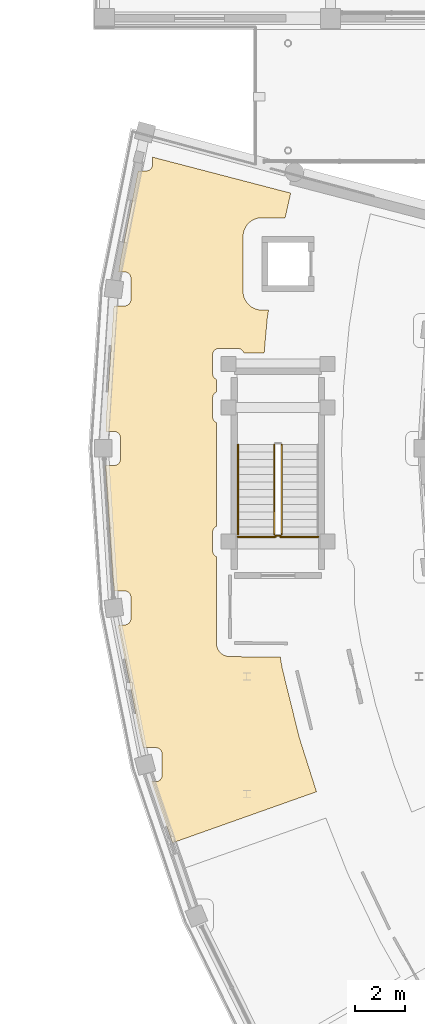
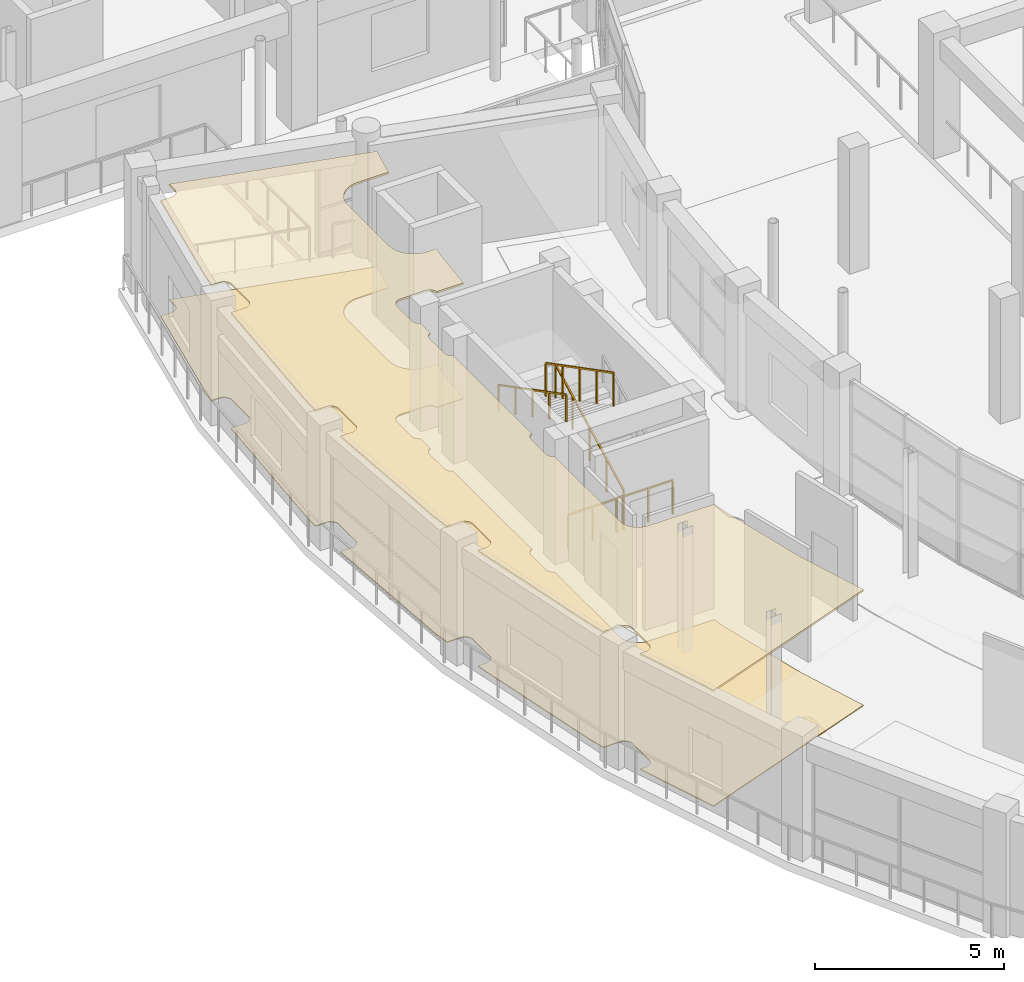
# One storey, part 75 of 87: 6 railings, 2 coverings.
"""IFC4 building model written with IfcOpenShell, lengths in metres."""

from ifc_helpers import new_model, si_unit, direction, frame, origin, origin_2d, place, context, subcontext, project, spatial, polyline, rectangle, outline, extrude, material, layer, layer_set, type_object, element, save


model = new_model("IFC4")

# Units and contexts
model_context = context("Model", 3, precision=1e-05, world=origin(), true_north=direction((0.0, 1.0)))
body_context = subcontext(model_context, "Body", "Model", "MODEL_VIEW")
ifc_project = project(units=[si_unit("LENGTHUNIT", "METRE"), si_unit("AREAUNIT", "SQUARE_METRE"), si_unit("VOLUMEUNIT", "CUBIC_METRE"), si_unit("PLANEANGLEUNIT", "RADIAN"), si_unit("MASSUNIT", "GRAM", prefix="KILO")], contexts=[model_context])

# Site, building, storey
site_placement = place(None, origin())
site = spatial("IfcSite", under=ifc_project, at=site_placement, CompositionType="ELEMENT")
building_placement = place(site_placement, origin())
building = spatial("IfcBuilding", under=site, at=building_placement, Name="Saryqyr Civic Hall", CompositionType="ELEMENT")
storey_placement = place(building_placement, frame((0.0, 0.0, 5.10009765625)))
storey = spatial("IfcBuildingStorey", under=building, at=storey_placement, Name="L01", CompositionType="ELEMENT", Elevation=5.10009765625)

# Coverings
ifc_material_1 = material(Name="Mineral-fibre acoustic ceiling tile", Category="acoustic_tile")
ifc_layer_1 = layer(ifc_material_1, 0.06005859375, Name="Mineral-fibre acoustic ceiling tile")
ifc_layer_set_1 = layer_set([ifc_layer_1], Name="Mineral-fibre acoustic ceiling tile")
covering_type_1 = type_object("IfcCoveringType", Name="INT-COV-CEIL-60", PredefinedType="CEILING", material=ifc_layer_set_1)
covering_1_placement = place(storey_placement, frame((0.0, 0.0, 3.7099609375)))
element("IfcCovering", 1, at=covering_1_placement, inside=storey, type_object=covering_type_1, Name="Acoustic ceiling Civil Registry Ceremonial Hall", PredefinedType="CEILING", context=body_context, shape_type="SweptSolid", body=[
    extrude(outline(polyline([(12.53271484375, 76.146484375), (12.54052734375, 76.09326171875), (12.553466796875, 76.041259765625), (12.5712890625, 75.990478515625), (12.59423828125, 75.94189453125), (12.621826171875, 75.895751953125), (12.653564453125, 75.8525390625), (12.689453125, 75.812744140625), (12.72900390625, 75.7763671875), (12.772216796875, 75.744140625), (12.818115234375, 75.71630859375), (12.866455078125, 75.693115234375), (12.9169921875, 75.6748046875), (12.968994140625, 75.661376953125), (13.02197265625, 75.653076171875), (13.075439453125, 75.64990234375), (15.090087890625, 75.6337890625), (15.172607421875, 75.168212890625), (15.18017578125, 75.132568359375), (15.848388671875, 72.4208984375), (15.858154296875, 72.385986328125), (16.54296875, 70.231689453125), (10.767333984375, 68.1826171875), (9.935546875, 70.637939453125), (10.099609375, 70.637939453125), (10.1240234375, 70.63916015625), (10.1484375, 70.642578125), (10.172119140625, 70.648681640625), (10.1953125, 70.656982421875), (10.21728515625, 70.66748046875), (10.238525390625, 70.679931640625), (10.25830078125, 70.694580078125), (10.2763671875, 70.711181640625), (10.29296875, 70.729248046875), (10.3076171875, 70.7490234375), (10.320068359375, 70.77001953125), (10.33056640625, 70.792236328125), (10.3388671875, 70.815185546875), (10.3447265625, 70.839111328125), (10.348388671875, 70.86328125), (10.349609375, 70.887939453125), (10.349609375, 71.747802734375), (10.348388671875, 71.7724609375), (10.3447265625, 71.796630859375), (10.3388671875, 71.820556640625), (10.33056640625, 71.843505859375), (10.320068359375, 71.86572265625), (10.3076171875, 71.88671875), (10.29296875, 71.906494140625), (10.2763671875, 71.9248046875), (10.25830078125, 71.941162109375), (10.238525390625, 71.955810546875), (10.21728515625, 71.968505859375), (10.1953125, 71.97900390625), (10.172119140625, 71.987060546875), (10.1484375, 71.9931640625), (10.1240234375, 71.99658203125), (10.099609375, 71.997802734375), (9.591796875, 71.997802734375), (9.45947265625, 72.534912109375), (8.614013671875, 76.784423828125), (8.597412109375, 76.92431640625), (8.84912109375, 76.92431640625), (8.873779296875, 76.92529296875), (8.89794921875, 76.928955078125), (8.921875, 76.93505859375), (8.94482421875, 76.943115234375), (8.967041015625, 76.95361328125), (8.988037109375, 76.96630859375), (9.0078125, 76.98095703125), (9.02587890625, 76.997314453125), (9.04248046875, 77.015625), (9.05712890625, 77.035400390625), (9.069580078125, 77.056396484375), (9.080078125, 77.07861328125), (9.08837890625, 77.1015625), (9.094482421875, 77.12548828125), (9.097900390625, 77.149658203125), (9.09912109375, 77.17431640625), (9.09912109375, 78.0341796875), (9.097900390625, 78.05859375), (9.094482421875, 78.0830078125), (9.08837890625, 78.106689453125), (9.080078125, 78.1298828125), (9.069580078125, 78.152099609375), (9.05712890625, 78.173095703125), (9.04248046875, 78.19287109375), (9.02587890625, 78.2109375), (9.0078125, 78.2275390625), (8.988037109375, 78.2421875), (8.967041015625, 78.254638671875), (8.94482421875, 78.26513671875), (8.921875, 78.2734375), (8.89794921875, 78.279296875), (8.873779296875, 78.282958984375), (8.84912109375, 78.2841796875), (8.43603515625, 78.2841796875), (8.368896484375, 78.847900390625), (8.0908203125, 83.093505859375), (8.0810546875, 83.320068359375), (8.429931640625, 83.320068359375), (8.45458984375, 83.3212890625), (8.478759765625, 83.32470703125), (8.502685546875, 83.330810546875), (8.525634765625, 83.339111328125), (8.5478515625, 83.349609375), (8.56884765625, 83.362060546875), (8.588623046875, 83.376708984375), (8.606689453125, 83.393310546875), (8.623291015625, 83.411376953125), (8.637939453125, 83.43115234375), (8.650390625, 83.4521484375), (8.660888671875, 83.474365234375), (8.669189453125, 83.497314453125), (8.67529296875, 83.521240234375), (8.6787109375, 83.54541015625), (8.679931640625, 83.570068359375), (8.679931640625, 84.429931640625), (8.6787109375, 84.45458984375), (8.67529296875, 84.478759765625), (8.669189453125, 84.502685546875), (8.660888671875, 84.525634765625), (8.650390625, 84.5478515625), (8.637939453125, 84.56884765625), (8.623291015625, 84.588623046875), (8.606689453125, 84.606689453125), (8.588623046875, 84.623291015625), (8.56884765625, 84.637939453125), (8.5478515625, 84.650390625), (8.525634765625, 84.660888671875), (8.502685546875, 84.669189453125), (8.478759765625, 84.67529296875), (8.45458984375, 84.6787109375), (8.429931640625, 84.679931640625), (8.099609375, 84.679931640625), (8.11279296875, 85.239990234375), (8.419189453125, 89.7158203125), (8.84912109375, 89.7158203125), (8.873779296875, 89.717041015625), (8.89794921875, 89.720703125), (8.921875, 89.7265625), (8.94482421875, 89.73486328125), (8.967041015625, 89.745361328125), (8.988037109375, 89.7578125), (9.0078125, 89.7724609375), (9.02587890625, 89.7890625), (9.04248046875, 89.80712890625), (9.05712890625, 89.826904296875), (9.069580078125, 89.847900390625), (9.080078125, 89.8701171875), (9.08837890625, 89.893310546875), (9.094482421875, 89.9169921875), (9.097900390625, 89.94140625), (9.09912109375, 89.9658203125), (9.09912109375, 90.82568359375), (9.097900390625, 90.850341796875), (9.094482421875, 90.87451171875), (9.08837890625, 90.8984375), (9.080078125, 90.92138671875), (9.069580078125, 90.943603515625), (9.05712890625, 90.964599609375), (9.04248046875, 90.984375), (9.02587890625, 91.002685546875), (9.0078125, 91.01904296875), (8.988037109375, 91.03369140625), (8.967041015625, 91.04638671875), (8.94482421875, 91.056884765625), (8.921875, 91.06494140625), (8.89794921875, 91.071044921875), (8.873779296875, 91.07470703125), (8.84912109375, 91.07568359375), (8.60888671875, 91.07568359375), (8.693603515625, 91.61474609375), (9.393310546875, 95.133056640625), (9.719482421875, 95.133056640625), (9.743896484375, 95.13427734375), (9.768310546875, 95.137939453125), (9.7919921875, 95.143798828125), (9.815185546875, 95.152099609375), (9.837158203125, 95.16259765625), (9.8583984375, 95.17529296875), (9.8779296875, 95.189697265625), (9.896240234375, 95.206298828125), (9.91259765625, 95.224609375), (9.92724609375, 95.244140625), (9.93994140625, 95.265380859375), (9.950439453125, 95.287353515625), (9.95849609375, 95.310546875), (9.964599609375, 95.334228515625), (9.96826171875, 95.358642578125), (9.969482421875, 95.383056640625), (9.969482421875, 95.68212890625), (15.509033203125, 94.2392578125), (15.2861328125, 93.25), (14.35009765625, 93.25), (14.330322265625, 93.24951171875), (14.296142578125, 93.247802734375), (14.257080078125, 93.243896484375), (14.222900390625, 93.239013671875), (14.1845703125, 93.231201171875), (14.151123046875, 93.222900390625), (14.113525390625, 93.21142578125), (14.081298828125, 93.199951171875), (14.044921875, 93.18505859375), (14.013916015625, 93.17041015625), (13.9794921875, 93.15185546875), (13.949951171875, 93.134033203125), (13.917236328125, 93.1123046875), (13.8896484375, 93.091796875), (13.859375, 93.06689453125), (13.833984375, 93.0439453125), (13.80615234375, 93.01611328125), (13.783203125, 92.99072265625), (13.75830078125, 92.960205078125), (13.73779296875, 92.9326171875), (13.7158203125, 92.900146484375), (13.6982421875, 92.87060546875), (13.6796875, 92.8359375), (13.6650390625, 92.804931640625), (13.64990234375, 92.768798828125), (13.638427734375, 92.736328125), (13.627197265625, 92.69873046875), (13.61865234375, 92.66552734375), (13.611083984375, 92.626953125), (13.60595703125, 92.593017578125), (13.602294921875, 92.553955078125), (13.6005859375, 92.51953125), (13.60009765625, 92.5), (13.60009765625, 90.300048828125), (13.6005859375, 90.280517578125), (13.602294921875, 90.24609375), (13.60595703125, 90.20703125), (13.611083984375, 90.173095703125), (13.61865234375, 90.134521484375), (13.627197265625, 90.101318359375), (13.638427734375, 90.063720703125), (13.64990234375, 90.03125), (13.6650390625, 89.9951171875), (13.6796875, 89.964111328125), (13.6982421875, 89.929443359375), (13.7158203125, 89.89990234375), (13.73779296875, 89.8671875), (13.75830078125, 89.839599609375), (13.783203125, 89.809326171875), (13.80615234375, 89.783935546875), (13.833984375, 89.756103515625), (13.859375, 89.733154296875), (13.8896484375, 89.708251953125), (13.917236328125, 89.687744140625), (13.949951171875, 89.666015625), (13.9794921875, 89.648193359375), (14.013916015625, 89.629638671875), (14.044921875, 89.614990234375), (14.081298828125, 89.60009765625), (14.113525390625, 89.58837890625), (14.151123046875, 89.5771484375), (14.1845703125, 89.568603515625), (14.222900390625, 89.56103515625), (14.257080078125, 89.555908203125), (14.296142578125, 89.55224609375), (14.330322265625, 89.550537109375), (14.35009765625, 89.550048828125), (14.621337890625, 89.550048828125), (14.572509765625, 89.239013671875), (14.568115234375, 89.202880859375), (14.444091796875, 87.820068359375), (13.63232421875, 87.820068359375), (13.629150390625, 87.83251953125), (13.62109375, 87.855712890625), (13.610595703125, 87.877685546875), (13.597900390625, 87.89892578125), (13.583251953125, 87.918701171875), (13.56689453125, 87.936767578125), (13.548583984375, 87.953369140625), (13.52880859375, 87.968017578125), (13.5078125, 87.98046875), (13.485595703125, 87.990966796875), (13.462646484375, 87.999267578125), (13.438720703125, 88.005126953125), (13.41455078125, 88.0087890625), (13.389892578125, 88.010009765625), (12.6298828125, 88.010009765625), (12.60546875, 88.0087890625), (12.581298828125, 88.005126953125), (12.557373046875, 87.999267578125), (12.5341796875, 87.990966796875), (12.51220703125, 87.98046875), (12.4912109375, 87.968017578125), (12.471435546875, 87.953369140625), (12.453125, 87.936767578125), (12.436767578125, 87.918701171875), (12.422119140625, 87.89892578125), (12.409423828125, 87.877685546875), (12.39892578125, 87.855712890625), (12.390869140625, 87.83251953125), (12.384765625, 87.808837890625), (12.381103515625, 87.784423828125), (12.3798828125, 87.760009765625), (12.3798828125, 87.0), (12.381103515625, 86.9755859375), (12.384765625, 86.951171875), (12.390869140625, 86.927490234375), (12.39892578125, 86.904296875), (12.409423828125, 86.882080078125), (12.422119140625, 86.861083984375), (12.436767578125, 86.84130859375), (12.453125, 86.8232421875), (12.471435546875, 86.806640625), (12.4912109375, 86.7919921875), (12.51220703125, 86.779541015625), (12.530029296875, 86.77099609375), (12.530029296875, 86.2587890625), (12.51220703125, 86.25048828125), (12.4912109375, 86.23779296875), (12.471435546875, 86.223388671875), (12.453125, 86.206787109375), (12.436767578125, 86.188720703125), (12.422119140625, 86.1689453125), (12.409423828125, 86.147705078125), (12.39892578125, 86.125732421875), (12.390869140625, 86.1025390625), (12.384765625, 86.078857421875), (12.381103515625, 86.054443359375), (12.3798828125, 86.030029296875), (12.3798828125, 85.27001953125), (12.381103515625, 85.24560546875), (12.384765625, 85.22119140625), (12.390869140625, 85.197509765625), (12.39892578125, 85.17431640625), (12.409423828125, 85.152099609375), (12.422119140625, 85.131103515625), (12.436767578125, 85.111328125), (12.453125, 85.09326171875), (12.471435546875, 85.07666015625), (12.4912109375, 85.06201171875), (12.51220703125, 85.049560546875), (12.530029296875, 85.041015625), (12.530029296875, 80.873779296875), (12.51220703125, 80.865478515625), (12.4912109375, 80.852783203125), (12.471435546875, 80.83837890625), (12.453125, 80.82177734375), (12.436767578125, 80.8037109375), (12.422119140625, 80.783935546875), (12.409423828125, 80.7626953125), (12.39892578125, 80.74072265625), (12.390869140625, 80.717529296875), (12.384765625, 80.69384765625), (12.381103515625, 80.66943359375), (12.3798828125, 80.64501953125), (12.3798828125, 79.885009765625), (12.381103515625, 79.860595703125), (12.384765625, 79.836181640625), (12.390869140625, 79.8125), (12.39892578125, 79.789306640625), (12.409423828125, 79.76708984375), (12.422119140625, 79.74609375), (12.436767578125, 79.726318359375), (12.453125, 79.708251953125), (12.471435546875, 79.691650390625), (12.4912109375, 79.677001953125), (12.51220703125, 79.66455078125), (12.530029296875, 79.656005859375), (12.530029296875, 79.0), (12.530029296875, 78.99609375), (12.530029296875, 76.199951171875), (12.53271484375, 76.146484375)])), origin(), (0.0, 0.0, 1.0), 0.06005859375),
])
ifc_material_2 = material(Name="Polished terrazzo tile", Category="stone")
ifc_layer_2 = layer(ifc_material_2, 0.030029296875, Name="Polished terrazzo tile")
ifc_layer_set_2 = layer_set([ifc_layer_2], Name="Polished terrazzo tile")
covering_type_2 = type_object("IfcCoveringType", Name="INT-COV-FLR-30", PredefinedType="FLOORING", material=ifc_layer_set_2)
covering_2_placement = place(storey_placement, origin())
element("IfcCovering", 2, at=covering_2_placement, inside=storey, type_object=covering_type_2, Name="Polished terrazzo flooring Civil Registry Ceremonial Hall", PredefinedType="FLOORING", context=body_context, shape_type="SweptSolid", body=[
    extrude(outline(polyline([(12.53271484375, 76.146484375), (12.54052734375, 76.09326171875), (12.553466796875, 76.041259765625), (12.5712890625, 75.990478515625), (12.59423828125, 75.94189453125), (12.621826171875, 75.895751953125), (12.653564453125, 75.8525390625), (12.689453125, 75.812744140625), (12.72900390625, 75.7763671875), (12.772216796875, 75.744140625), (12.818115234375, 75.71630859375), (12.866455078125, 75.693115234375), (12.9169921875, 75.6748046875), (12.968994140625, 75.661376953125), (13.02197265625, 75.653076171875), (13.075439453125, 75.64990234375), (15.090087890625, 75.6337890625), (15.172607421875, 75.168212890625), (15.18017578125, 75.132568359375), (15.848388671875, 72.4208984375), (15.858154296875, 72.385986328125), (16.54296875, 70.231689453125), (10.767333984375, 68.1826171875), (9.935546875, 70.637939453125), (10.099609375, 70.637939453125), (10.1240234375, 70.63916015625), (10.1484375, 70.642578125), (10.172119140625, 70.648681640625), (10.1953125, 70.656982421875), (10.21728515625, 70.66748046875), (10.238525390625, 70.679931640625), (10.25830078125, 70.694580078125), (10.2763671875, 70.711181640625), (10.29296875, 70.729248046875), (10.3076171875, 70.7490234375), (10.320068359375, 70.77001953125), (10.33056640625, 70.792236328125), (10.3388671875, 70.815185546875), (10.3447265625, 70.839111328125), (10.348388671875, 70.86328125), (10.349609375, 70.887939453125), (10.349609375, 71.747802734375), (10.348388671875, 71.7724609375), (10.3447265625, 71.796630859375), (10.3388671875, 71.820556640625), (10.33056640625, 71.843505859375), (10.320068359375, 71.86572265625), (10.3076171875, 71.88671875), (10.29296875, 71.906494140625), (10.2763671875, 71.9248046875), (10.25830078125, 71.941162109375), (10.238525390625, 71.955810546875), (10.21728515625, 71.968505859375), (10.1953125, 71.97900390625), (10.172119140625, 71.987060546875), (10.1484375, 71.9931640625), (10.1240234375, 71.99658203125), (10.099609375, 71.997802734375), (9.591796875, 71.997802734375), (9.45947265625, 72.534912109375), (8.614013671875, 76.784423828125), (8.597412109375, 76.92431640625), (8.84912109375, 76.92431640625), (8.873779296875, 76.92529296875), (8.89794921875, 76.928955078125), (8.921875, 76.93505859375), (8.94482421875, 76.943115234375), (8.967041015625, 76.95361328125), (8.988037109375, 76.96630859375), (9.0078125, 76.98095703125), (9.02587890625, 76.997314453125), (9.04248046875, 77.015625), (9.05712890625, 77.035400390625), (9.069580078125, 77.056396484375), (9.080078125, 77.07861328125), (9.08837890625, 77.1015625), (9.094482421875, 77.12548828125), (9.097900390625, 77.149658203125), (9.09912109375, 77.17431640625), (9.09912109375, 78.0341796875), (9.097900390625, 78.05859375), (9.094482421875, 78.0830078125), (9.08837890625, 78.106689453125), (9.080078125, 78.1298828125), (9.069580078125, 78.152099609375), (9.05712890625, 78.173095703125), (9.04248046875, 78.19287109375), (9.02587890625, 78.2109375), (9.0078125, 78.2275390625), (8.988037109375, 78.2421875), (8.967041015625, 78.254638671875), (8.94482421875, 78.26513671875), (8.921875, 78.2734375), (8.89794921875, 78.279296875), (8.873779296875, 78.282958984375), (8.84912109375, 78.2841796875), (8.43603515625, 78.2841796875), (8.368896484375, 78.847900390625), (8.0908203125, 83.093505859375), (8.0810546875, 83.320068359375), (8.429931640625, 83.320068359375), (8.45458984375, 83.3212890625), (8.478759765625, 83.32470703125), (8.502685546875, 83.330810546875), (8.525634765625, 83.339111328125), (8.5478515625, 83.349609375), (8.56884765625, 83.362060546875), (8.588623046875, 83.376708984375), (8.606689453125, 83.393310546875), (8.623291015625, 83.411376953125), (8.637939453125, 83.43115234375), (8.650390625, 83.4521484375), (8.660888671875, 83.474365234375), (8.669189453125, 83.497314453125), (8.67529296875, 83.521240234375), (8.6787109375, 83.54541015625), (8.679931640625, 83.570068359375), (8.679931640625, 84.429931640625), (8.6787109375, 84.45458984375), (8.67529296875, 84.478759765625), (8.669189453125, 84.502685546875), (8.660888671875, 84.525634765625), (8.650390625, 84.5478515625), (8.637939453125, 84.56884765625), (8.623291015625, 84.588623046875), (8.606689453125, 84.606689453125), (8.588623046875, 84.623291015625), (8.56884765625, 84.637939453125), (8.5478515625, 84.650390625), (8.525634765625, 84.660888671875), (8.502685546875, 84.669189453125), (8.478759765625, 84.67529296875), (8.45458984375, 84.6787109375), (8.429931640625, 84.679931640625), (8.099609375, 84.679931640625), (8.11279296875, 85.239990234375), (8.419189453125, 89.7158203125), (8.84912109375, 89.7158203125), (8.873779296875, 89.717041015625), (8.89794921875, 89.720703125), (8.921875, 89.7265625), (8.94482421875, 89.73486328125), (8.967041015625, 89.745361328125), (8.988037109375, 89.7578125), (9.0078125, 89.7724609375), (9.02587890625, 89.7890625), (9.04248046875, 89.80712890625), (9.05712890625, 89.826904296875), (9.069580078125, 89.847900390625), (9.080078125, 89.8701171875), (9.08837890625, 89.893310546875), (9.094482421875, 89.9169921875), (9.097900390625, 89.94140625), (9.09912109375, 89.9658203125), (9.09912109375, 90.82568359375), (9.097900390625, 90.850341796875), (9.094482421875, 90.87451171875), (9.08837890625, 90.8984375), (9.080078125, 90.92138671875), (9.069580078125, 90.943603515625), (9.05712890625, 90.964599609375), (9.04248046875, 90.984375), (9.02587890625, 91.002685546875), (9.0078125, 91.01904296875), (8.988037109375, 91.03369140625), (8.967041015625, 91.04638671875), (8.94482421875, 91.056884765625), (8.921875, 91.06494140625), (8.89794921875, 91.071044921875), (8.873779296875, 91.07470703125), (8.84912109375, 91.07568359375), (8.60888671875, 91.07568359375), (8.693603515625, 91.61474609375), (9.393310546875, 95.133056640625), (9.719482421875, 95.133056640625), (9.743896484375, 95.13427734375), (9.768310546875, 95.137939453125), (9.7919921875, 95.143798828125), (9.815185546875, 95.152099609375), (9.837158203125, 95.16259765625), (9.8583984375, 95.17529296875), (9.8779296875, 95.189697265625), (9.896240234375, 95.206298828125), (9.91259765625, 95.224609375), (9.92724609375, 95.244140625), (9.93994140625, 95.265380859375), (9.950439453125, 95.287353515625), (9.95849609375, 95.310546875), (9.964599609375, 95.334228515625), (9.96826171875, 95.358642578125), (9.969482421875, 95.383056640625), (9.969482421875, 95.68212890625), (15.509033203125, 94.2392578125), (15.2861328125, 93.25), (14.35009765625, 93.25), (14.330322265625, 93.24951171875), (14.296142578125, 93.247802734375), (14.257080078125, 93.243896484375), (14.222900390625, 93.239013671875), (14.1845703125, 93.231201171875), (14.151123046875, 93.222900390625), (14.113525390625, 93.21142578125), (14.081298828125, 93.199951171875), (14.044921875, 93.18505859375), (14.013916015625, 93.17041015625), (13.9794921875, 93.15185546875), (13.949951171875, 93.134033203125), (13.917236328125, 93.1123046875), (13.8896484375, 93.091796875), (13.859375, 93.06689453125), (13.833984375, 93.0439453125), (13.80615234375, 93.01611328125), (13.783203125, 92.99072265625), (13.75830078125, 92.960205078125), (13.73779296875, 92.9326171875), (13.7158203125, 92.900146484375), (13.6982421875, 92.87060546875), (13.6796875, 92.8359375), (13.6650390625, 92.804931640625), (13.64990234375, 92.768798828125), (13.638427734375, 92.736328125), (13.627197265625, 92.69873046875), (13.61865234375, 92.66552734375), (13.611083984375, 92.626953125), (13.60595703125, 92.593017578125), (13.602294921875, 92.553955078125), (13.6005859375, 92.51953125), (13.60009765625, 92.5), (13.60009765625, 90.300048828125), (13.6005859375, 90.280517578125), (13.602294921875, 90.24609375), (13.60595703125, 90.20703125), (13.611083984375, 90.173095703125), (13.61865234375, 90.134521484375), (13.627197265625, 90.101318359375), (13.638427734375, 90.063720703125), (13.64990234375, 90.03125), (13.6650390625, 89.9951171875), (13.6796875, 89.964111328125), (13.6982421875, 89.929443359375), (13.7158203125, 89.89990234375), (13.73779296875, 89.8671875), (13.75830078125, 89.839599609375), (13.783203125, 89.809326171875), (13.80615234375, 89.783935546875), (13.833984375, 89.756103515625), (13.859375, 89.733154296875), (13.8896484375, 89.708251953125), (13.917236328125, 89.687744140625), (13.949951171875, 89.666015625), (13.9794921875, 89.648193359375), (14.013916015625, 89.629638671875), (14.044921875, 89.614990234375), (14.081298828125, 89.60009765625), (14.113525390625, 89.58837890625), (14.151123046875, 89.5771484375), (14.1845703125, 89.568603515625), (14.222900390625, 89.56103515625), (14.257080078125, 89.555908203125), (14.296142578125, 89.55224609375), (14.330322265625, 89.550537109375), (14.35009765625, 89.550048828125), (14.621337890625, 89.550048828125), (14.572509765625, 89.239013671875), (14.568115234375, 89.202880859375), (14.444091796875, 87.820068359375), (13.63232421875, 87.820068359375), (13.629150390625, 87.83251953125), (13.62109375, 87.855712890625), (13.610595703125, 87.877685546875), (13.597900390625, 87.89892578125), (13.583251953125, 87.918701171875), (13.56689453125, 87.936767578125), (13.548583984375, 87.953369140625), (13.52880859375, 87.968017578125), (13.5078125, 87.98046875), (13.485595703125, 87.990966796875), (13.462646484375, 87.999267578125), (13.438720703125, 88.005126953125), (13.41455078125, 88.0087890625), (13.389892578125, 88.010009765625), (12.6298828125, 88.010009765625), (12.60546875, 88.0087890625), (12.581298828125, 88.005126953125), (12.557373046875, 87.999267578125), (12.5341796875, 87.990966796875), (12.51220703125, 87.98046875), (12.4912109375, 87.968017578125), (12.471435546875, 87.953369140625), (12.453125, 87.936767578125), (12.436767578125, 87.918701171875), (12.422119140625, 87.89892578125), (12.409423828125, 87.877685546875), (12.39892578125, 87.855712890625), (12.390869140625, 87.83251953125), (12.384765625, 87.808837890625), (12.381103515625, 87.784423828125), (12.3798828125, 87.760009765625), (12.3798828125, 87.0), (12.381103515625, 86.9755859375), (12.384765625, 86.951171875), (12.390869140625, 86.927490234375), (12.39892578125, 86.904296875), (12.409423828125, 86.882080078125), (12.422119140625, 86.861083984375), (12.436767578125, 86.84130859375), (12.453125, 86.8232421875), (12.471435546875, 86.806640625), (12.4912109375, 86.7919921875), (12.51220703125, 86.779541015625), (12.530029296875, 86.77099609375), (12.530029296875, 86.2587890625), (12.51220703125, 86.25048828125), (12.4912109375, 86.23779296875), (12.471435546875, 86.223388671875), (12.453125, 86.206787109375), (12.436767578125, 86.188720703125), (12.422119140625, 86.1689453125), (12.409423828125, 86.147705078125), (12.39892578125, 86.125732421875), (12.390869140625, 86.1025390625), (12.384765625, 86.078857421875), (12.381103515625, 86.054443359375), (12.3798828125, 86.030029296875), (12.3798828125, 85.27001953125), (12.381103515625, 85.24560546875), (12.384765625, 85.22119140625), (12.390869140625, 85.197509765625), (12.39892578125, 85.17431640625), (12.409423828125, 85.152099609375), (12.422119140625, 85.131103515625), (12.436767578125, 85.111328125), (12.453125, 85.09326171875), (12.471435546875, 85.07666015625), (12.4912109375, 85.06201171875), (12.51220703125, 85.049560546875), (12.530029296875, 85.041015625), (12.530029296875, 80.873779296875), (12.51220703125, 80.865478515625), (12.4912109375, 80.852783203125), (12.471435546875, 80.83837890625), (12.453125, 80.82177734375), (12.436767578125, 80.8037109375), (12.422119140625, 80.783935546875), (12.409423828125, 80.7626953125), (12.39892578125, 80.74072265625), (12.390869140625, 80.717529296875), (12.384765625, 80.69384765625), (12.381103515625, 80.66943359375), (12.3798828125, 80.64501953125), (12.3798828125, 79.885009765625), (12.381103515625, 79.860595703125), (12.384765625, 79.836181640625), (12.390869140625, 79.8125), (12.39892578125, 79.789306640625), (12.409423828125, 79.76708984375), (12.422119140625, 79.74609375), (12.436767578125, 79.726318359375), (12.453125, 79.708251953125), (12.471435546875, 79.691650390625), (12.4912109375, 79.677001953125), (12.51220703125, 79.66455078125), (12.530029296875, 79.656005859375), (12.530029296875, 79.0), (12.530029296875, 78.99609375), (12.530029296875, 76.199951171875), (12.53271484375, 76.146484375)])), origin(), (0.0, 0.0, 1.0), 0.02978515625),
])

# Railings
ifc_material_3 = material(Name="Warm brushed brass and laminated glass", Category="glass")
ifc_layer_3 = layer(ifc_material_3, 0.06005859375, Name="Warm brushed brass and laminated glass")
ifc_layer_set_3 = layer_set([ifc_layer_3], Name="Warm brushed brass and laminated glass")
railing_type_1 = type_object("IfcRailingType", Name="INT-RLG-BAL-1100", PredefinedType="BALUSTRADE", material=ifc_layer_set_3)
railing_1_placement = place(storey_placement, frame((15.14990234375, 80.550048828125, 0.15576171875)))
element("IfcRailing", 3, at=railing_1_placement, inside=storey, type_object=railing_type_1, Name="L01 ST-4 stair guard 1", PredefinedType="BALUSTRADE", context=body_context, shape_type="SweptSolid", body=[
    extrude(rectangle(XDim=0.048095703125, YDim=0.048095703125, at=origin_2d()), frame((0.0, 0.0, 1.076171875), z_axis=(0.0, 0.887497496945, 0.460812535545), x_axis=(-1.0, 0.0, 0.0)), (0.0, 0.0, 1.0), 4.05615234375),
    extrude(rectangle(XDim=0.0419921875, YDim=0.0419921875, at=origin_2d()), origin(), (0.0, 0.0, 1.0), 1.052001953125),
    extrude(rectangle(XDim=0.0419921875, YDim=0.0419921875, at=origin_2d()), frame((0.0, 0.89990234375, 0.46728515625)), (0.0, 0.0, 1.0), 1.052001953125),
    extrude(rectangle(XDim=0.0419921875, YDim=0.0419921875, at=origin_2d()), frame((0.0, 1.7998046875, 0.9345703125)), (0.0, 0.0, 1.0), 1.052001953125),
    extrude(rectangle(XDim=0.0419921875, YDim=0.0419921875, at=origin_2d()), frame((0.0, 2.699951171875, 1.40185546875)), (0.0, 0.0, 1.0), 1.052001953125),
    extrude(rectangle(XDim=0.0419921875, YDim=0.0419921875, at=origin_2d()), frame((0.0, 3.599853515625, 1.869140625)), (0.0, 0.0, 1.0), 1.052001953125),
])
railing_2_placement = place(storey_placement, frame((14.85009765625, 84.14990234375, 2.1806640625)))
element("IfcRailing", 4, at=railing_2_placement, inside=storey, type_object=railing_type_1, Name="L01 ST-4 stair guard 3", PredefinedType="BALUSTRADE", context=body_context, shape_type="SweptSolid", body=[
    extrude(rectangle(XDim=0.048095703125, YDim=0.048095703125, at=origin_2d()), frame((0.0, 0.0, 1.076171875), z_axis=(0.0, -0.887497496945, 0.460812535545), x_axis=(1.0, 0.0, 0.0)), (0.0, 0.0, 1.0), 4.05615234375),
    extrude(rectangle(XDim=0.0419921875, YDim=0.0419921875, at=origin_2d()), origin(), (0.0, 0.0, 1.0), 1.052001953125),
    extrude(rectangle(XDim=0.0419921875, YDim=0.0419921875, at=origin_2d()), frame((0.0, -0.89990234375, 0.46728515625)), (0.0, 0.0, 1.0), 1.052001953125),
    extrude(rectangle(XDim=0.0419921875, YDim=0.0419921875, at=origin_2d()), frame((0.0, -1.7998046875, 0.9345703125)), (0.0, 0.0, 1.0), 1.052001953125),
    extrude(rectangle(XDim=0.0419921875, YDim=0.0419921875, at=origin_2d()), frame((0.0, -2.699951171875, 1.40185546875)), (0.0, 0.0, 1.0), 1.052001953125),
    extrude(rectangle(XDim=0.0419921875, YDim=0.0419921875, at=origin_2d()), frame((0.0, -3.599853515625, 1.869140625)), (0.0, 0.0, 1.0), 1.052001953125),
])
railing_3_placement = place(storey_placement, frame((15.10009765625, 80.5, 0.0)))
element("IfcRailing", 5, at=railing_3_placement, inside=storey, type_object=railing_type_1, Name="L01 ST-4 stair guard 4", PredefinedType="BALUSTRADE", context=body_context, shape_type="SweptSolid", body=[
    extrude(rectangle(XDim=0.048095703125, YDim=0.048095703125, at=origin_2d()), frame((0.0, 0.0, 1.076171875), z_axis=(-1.0, 0.0, 0.0), x_axis=(0.0, -1.0, 0.0)), (0.0, 0.0, 1.0), 0.2001953125),
    extrude(rectangle(XDim=0.0419921875, YDim=0.0419921875, at=origin_2d()), origin(), (0.0, 0.0, 1.0), 1.052001953125),
    extrude(rectangle(XDim=0.0419921875, YDim=0.0419921875, at=origin_2d()), frame((-0.2001953125, 0.0, 0.0)), (0.0, 0.0, 1.0), 1.052001953125),
])
for number, where, name in (
    (6, (13.39501953125, 80.449951171875, 0.0), "Interior deck safety balustrade L01-087"),
    (7, (15.10009765625, 80.449951171875, 0.0), "Interior deck safety balustrade L01-088"),
):
    element("IfcRailing", number, at=place(storey_placement, frame(where)), inside=storey, type_object=railing_type_1, Name=name, PredefinedType="BALUSTRADE", context=body_context, shape_type="SweptSolid", body=[
        extrude(rectangle(XDim=0.048095703125, YDim=0.048095703125, at=origin_2d()), frame((0.0, 0.0, 1.09619140625), z_axis=(1.0, 0.0, 0.0), x_axis=(0.0, 1.0, 0.0)), (0.0, 0.0, 1.0), 1.5048828125),
        extrude(rectangle(XDim=0.0419921875, YDim=0.0419921875, at=origin_2d()), origin(), (0.0, 0.0, 1.0), 1.072021484375),
        extrude(rectangle(XDim=0.0419921875, YDim=0.0419921875, at=origin_2d()), frame((0.75244140625, 0.0, 0.0)), (0.0, 0.0, 1.0), 1.072021484375),
        extrude(rectangle(XDim=0.0419921875, YDim=0.0419921875, at=origin_2d()), frame((1.5048828125, 0.0, 0.0)), (0.0, 0.0, 1.0), 1.072021484375),
    ])
ifc_material_4 = material(Name="Stainless steel", Category="steel")
ifc_layer_4 = layer(ifc_material_4, 0.050048828125, Name="Stainless steel")
ifc_layer_set_4 = layer_set([ifc_layer_4], Name="Stainless steel")
railing_type_2 = type_object("IfcRailingType", Name="INT-RLG-HND-900", PredefinedType="HANDRAIL", material=ifc_layer_set_4)
railing_4_placement = place(storey_placement, frame((13.39990234375, 84.14990234375, 2.1806640625)))
element("IfcRailing", 8, at=railing_4_placement, inside=storey, type_object=railing_type_2, Name="L01 ST-4 stair handrail 2", PredefinedType="HANDRAIL", context=body_context, shape_type="SweptSolid", body=[
    extrude(rectangle(XDim=0.048095703125, YDim=0.048095703125, at=origin_2d()), frame((0.0, 0.0, 0.8759765625), z_axis=(0.0, -0.887497496945, 0.460812535545), x_axis=(1.0, 0.0, 0.0)), (0.0, 0.0, 1.0), 4.05615234375),
    extrude(rectangle(XDim=0.0419921875, YDim=0.0419921875, at=origin_2d()), origin(), (0.0, 0.0, 1.0), 0.851806640625),
    extrude(rectangle(XDim=0.0419921875, YDim=0.0419921875, at=origin_2d()), frame((0.0, -0.89990234375, 0.46728515625)), (0.0, 0.0, 1.0), 0.851806640625),
    extrude(rectangle(XDim=0.0419921875, YDim=0.0419921875, at=origin_2d()), frame((0.0, -1.7998046875, 0.9345703125)), (0.0, 0.0, 1.0), 0.851806640625),
    extrude(rectangle(XDim=0.0419921875, YDim=0.0419921875, at=origin_2d()), frame((0.0, -2.699951171875, 1.40185546875)), (0.0, 0.0, 1.0), 0.851806640625),
    extrude(rectangle(XDim=0.0419921875, YDim=0.0419921875, at=origin_2d()), frame((0.0, -3.599853515625, 1.869140625)), (0.0, 0.0, 1.0), 0.851806640625),
])

save(model, "model.ifc")
